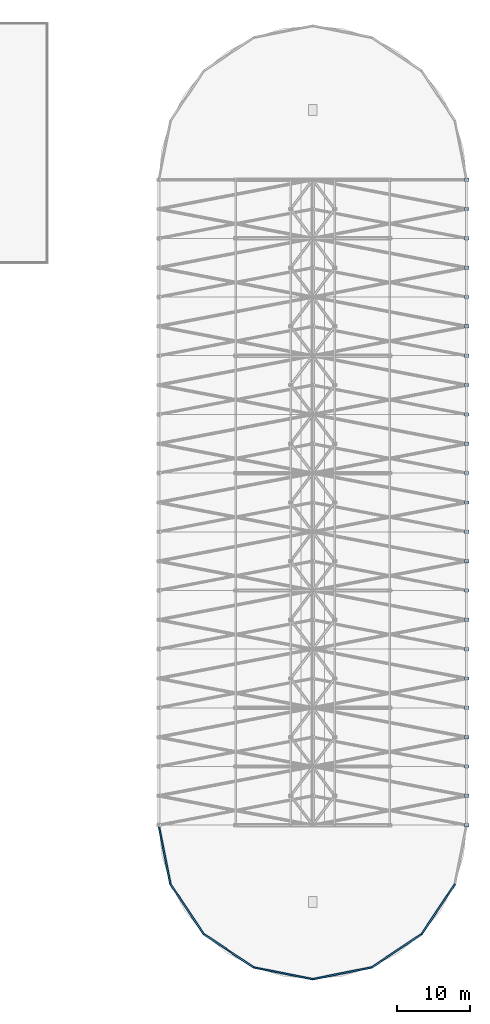
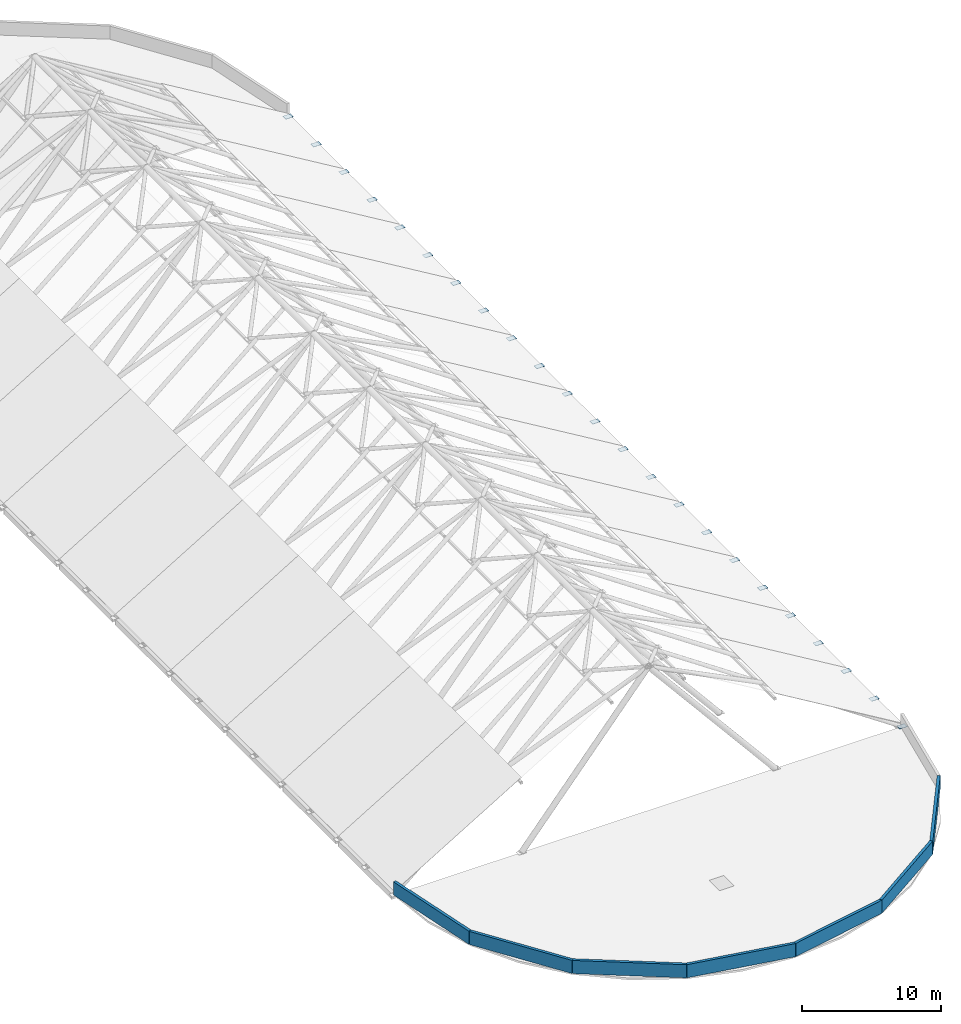
# One storey, part 17 of 44: 23 plates, 7 walls.
"""IFC4 building model written with IfcOpenShell, lengths in metres."""

import ifcopenshell
import ifcopenshell.guid

model = None  # the IFC model being written
_history = None  # IfcOwnerHistory: only IFC2X3 demands one
_inside = {}  # id of a spatial element -> (the spatial element, [elements in it])
_under = {}  # id of a project, library or spatial element -> (it, [spatial elements below it])
_declared = {}  # id of a project -> (the project, [libraries it declares])
_typed = {}  # id of a type object -> (the type object, [elements of that type])
_made_of = {}  # id of a material, layer set ... -> (it, [elements and type objects made of it])


def new_model(schema):
    """Start an empty IFC model of exactly this schema.

    Asked for "IFC4X3", IfcOpenShell would pick the latest addendum, in which some entities
    have other attributes; the version numbers below select the first issue.
    IFC2X3 requires an IfcOwnerHistory on every rooted entity: one is made here for all.
    """
    global model, _history
    if schema == "IFC4X3":
        model = ifcopenshell.file(schema_version=(4, 3, 0, 0))
    else:
        model = ifcopenshell.file(schema=schema)
    _inside.clear()
    _under.clear()
    _declared.clear()
    _typed.clear()
    _made_of.clear()
    _history = None
    if model.schema == "IFC2X3":
        org = make("IfcOrganization", Name="unknown")
        user = make(
            "IfcPersonAndOrganization",
            ThePerson=make("IfcPerson", FamilyName="unknown"),
            TheOrganization=org,
        )
        app = make(
            "IfcApplication",
            ApplicationDeveloper=org,
            Version="unknown",
            ApplicationFullName="unknown",
            ApplicationIdentifier="unknown",
        )
        _history = make(
            "IfcOwnerHistory",
            OwningUser=user,
            OwningApplication=app,
            ChangeAction="ADDED",
            CreationDate=0,
        )
    return model


def make(cls, **values):
    """One entity of the class cls with the attributes given. An attribute that is None is left unset."""
    return model.create_entity(
        cls, **{name: value for name, value in values.items() if value is not None}
    )


def rooted(cls, **values):
    """An entity with a GlobalId (a new one), such as an element, a storey or a relation."""
    return make(cls, GlobalId=ifcopenshell.guid.new(), OwnerHistory=_history, **values)


def si_unit(unit_type, name, prefix=None):
    """IfcSIUnit, for example si_unit("LENGTHUNIT", "METRE", prefix="MILLI")."""
    return make("IfcSIUnit", UnitType=unit_type, Prefix=prefix, Name=name)


def assignment(units):
    """IfcUnitAssignment: the units of a project."""
    return None if units is None else make("IfcUnitAssignment", Units=units)


def point(xyz):
    """IfcCartesianPoint."""
    return None if xyz is None else make("IfcCartesianPoint", Coordinates=xyz)


def direction(xyz):
    """IfcDirection."""
    return None if xyz is None else make("IfcDirection", DirectionRatios=xyz)


def frame(location, z_axis=None, x_axis=None):
    """IfcAxis2Placement3D, a coordinate frame: its origin and axes. An axis left out is left unset."""
    return make(
        "IfcAxis2Placement3D",
        Location=point(location),
        Axis=direction(z_axis),
        RefDirection=direction(x_axis),
    )


def frame_2d(location, x_axis=None):
    """IfcAxis2Placement2D, a coordinate frame in the plane: its origin and x axis."""
    return make(
        "IfcAxis2Placement2D", Location=point(location), RefDirection=direction(x_axis)
    )


def origin():
    """The frame at (0, 0, 0) with its axes left unset."""
    return frame((0.0, 0.0, 0.0))


def origin_2d():
    """The frame at (0, 0) in the plane with its x axis left unset."""
    return frame_2d((0.0, 0.0))


def place(relative_to, where):
    """IfcLocalPlacement: puts the frame where relative to a parent placement (None: the world)."""
    return make(
        "IfcLocalPlacement", PlacementRelTo=relative_to, RelativePlacement=where
    )


def context(
    kind, dimensions, precision=None, world=None, true_north=None, identifier=None
):
    """IfcGeometricRepresentationContext, for example the 3D "Model" context."""
    return make(
        "IfcGeometricRepresentationContext",
        ContextIdentifier=identifier,
        ContextType=kind,
        CoordinateSpaceDimension=dimensions,
        Precision=precision,
        WorldCoordinateSystem=world,
        TrueNorth=true_north,
    )


def subcontext(parent, identifier, kind, view, scale=None):
    """IfcGeometricRepresentationSubContext, for example "Body" below "Model"."""
    return make(
        "IfcGeometricRepresentationSubContext",
        ContextIdentifier=identifier,
        ContextType=kind,
        ParentContext=parent,
        TargetScale=scale,
        TargetView=view,
    )


def project(units=None, contexts=None):
    """IfcProject with its units and contexts."""
    return rooted(
        "IfcProject",
        Name="project",
        RepresentationContexts=contexts,
        UnitsInContext=assignment(units),
    )


def spatial(cls, under=None, at=None, **own):
    """A site, building, storey or space (cls), placed at a placement, below another one or the project."""
    s = rooted(cls, ObjectPlacement=at, **own)
    if under is not None:
        _under.setdefault(under.id(), (under, []))[1].append(s)
    return s


def profile(cls, at=None, kind="AREA", **sizes):
    """A parametric profile (cls). Its sizes go by their IFC names, for example OverallWidth=200.0."""
    return make(cls, ProfileType=kind, Position=at, **sizes)


def rectangle(**sizes):
    """IfcRectangleProfileDef."""
    return profile("IfcRectangleProfileDef", **sizes)


def extrude(swept, where, along, depth):
    """IfcExtrudedAreaSolid: the profile swept, set in the frame where, extruded along a direction by depth."""
    return make(
        "IfcExtrudedAreaSolid",
        SweptArea=swept,
        Position=where,
        ExtrudedDirection=direction(along),
        Depth=depth,
    )


def shape(context_of_items, identifier, shape_type, items):
    """IfcShapeRepresentation: the items that make up one representation, for example the "Body"."""
    return make(
        "IfcShapeRepresentation",
        ContextOfItems=context_of_items,
        RepresentationIdentifier=identifier,
        RepresentationType=shape_type,
        Items=items,
    )


def material(Name=None, Category=None):
    """IfcMaterial."""
    return make("IfcMaterial", Name=Name, Category=Category)


def layer(
    of_material, thickness, ventilated=None, Name=None, Category=None, Priority=None
):
    """IfcMaterialLayer: one layer of a wall or slab, of a material (None: an air gap)."""
    return make(
        "IfcMaterialLayer",
        Material=of_material,
        LayerThickness=thickness,
        IsVentilated=ventilated,
        Name=Name,
        Category=Category,
        Priority=Priority,
    )


def layer_set(layers, Name=None):
    """IfcMaterialLayerSet."""
    return make("IfcMaterialLayerSet", MaterialLayers=layers, LayerSetName=Name)


def made_of(thing, what):
    """Note that an element or type object is made of a material, layer set ...; save() writes the relation."""
    if what is not None:
        _made_of.setdefault(what.id(), (what, []))[1].append(thing)
    return thing


def type_object(cls, material=None, **own):
    """A type object (cls), such as IfcWallType, which elements share."""
    return made_of(rooted(cls, **own), material)


def element(
    cls,
    number,
    at=None,
    inside=None,
    cuts=None,
    type_object=None,
    material=None,
    context=None,
    identifier="Body",
    shape_type=None,
    held_by="IfcProductDefinitionShape",
    body=None,
    shapes=None,
    **own,
):
    """One element of the class cls, such as IfcWall. Its Tag is "e" and its number.

    at: its placement. inside: the storey or other place that contains it. cuts: it is an
    opening in that element (IfcRelVoidsElement). A single representation is given by context,
    identifier, shape_type and body (its items); several are given by shapes. held_by: the class
    of the entity that holds the representations. save() writes the other relations.
    """
    e = rooted(cls, Tag="e%d" % number, ObjectPlacement=at, **own)
    if body is not None:
        shapes = [shape(context, identifier, shape_type, body)]
    if shapes is not None:
        e.Representation = make(held_by, Representations=shapes)
    if inside is not None:
        _inside.setdefault(inside.id(), (inside, []))[1].append(e)
    if cuts is not None:
        rooted(
            "IfcRelVoidsElement", RelatingBuildingElement=cuts, RelatedOpeningElement=e
        )
    if type_object is not None:
        _typed.setdefault(type_object.id(), (type_object, []))[1].append(e)
    return made_of(e, material)


def aggregate(whole, parts):
    """IfcRelAggregates: a whole, such as a stair, and the parts it consists of."""
    return rooted("IfcRelAggregates", RelatingObject=whole, RelatedObjects=parts)


def save(model, path):
    """Write the relations noted so far, then the file.

    IfcRelAggregates (storeys below a building ...), IfcRelContainedInSpatialStructure (elements
    in a storey), IfcRelDefinesByType, IfcRelAssociatesMaterial and IfcRelDeclares: one each for
    every whole, place, type object, material and project.
    """
    for whole, parts in _under.values():
        aggregate(whole, parts)
    for where, things in _inside.values():
        rooted(
            "IfcRelContainedInSpatialStructure",
            RelatedElements=things,
            RelatingStructure=where,
        )
    for kind, things in _typed.values():
        rooted("IfcRelDefinesByType", RelatedObjects=things, RelatingType=kind)
    for what, things in _made_of.values():
        rooted("IfcRelAssociatesMaterial", RelatedObjects=things, RelatingMaterial=what)
    for by, libraries in _declared.values():
        rooted("IfcRelDeclares", RelatingContext=by, RelatedDefinitions=libraries)
    model.write(path)


model = new_model("IFC4")

# Units and contexts
model_context = context("Model", 3, precision=1e-05, world=origin(), true_north=direction((0.0, 1.0)))
body_context = subcontext(model_context, "Body", "Model", "MODEL_VIEW")
ifc_project = project(units=[si_unit("LENGTHUNIT", "METRE"), si_unit("AREAUNIT", "SQUARE_METRE"), si_unit("VOLUMEUNIT", "CUBIC_METRE"), si_unit("PLANEANGLEUNIT", "RADIAN"), si_unit("MASSUNIT", "GRAM", prefix="KILO")], contexts=[model_context])

# Site, building, storey
site_placement = place(None, origin())
site = spatial("IfcSite", under=ifc_project, at=site_placement, CompositionType="ELEMENT")
building_placement = place(site_placement, origin())
building = spatial("IfcBuilding", under=site, at=building_placement, Name="Marlcrest Central Station", CompositionType="ELEMENT")
storey_placement = place(building_placement, frame((0.0, 0.0, 19.5)))
storey = spatial("IfcBuildingStorey", under=building, at=storey_placement, Name="L04", CompositionType="ELEMENT", Elevation=19.5)

# Plates
ifc_material_1 = material(Name="White intumescent Steel S355", Category="steel")
ifc_layer_1 = layer(ifc_material_1, 0.02392578125, Name="GP-04")
ifc_layer_set_1 = layer_set([ifc_layer_1], Name="White intumescent Steel S355")
plate_type = type_object("IfcPlateType", Name="GP-04", PredefinedType="USERDEFINED", material=ifc_layer_set_1)
for number, where, z_axis, x_axis, name in (
    (1, (129.0, 26.5, -0.011962890625), (0.0, 0.0, 1.0), (1.0, 0.0, 0.0), "plt-cap-01245"),
    (2, (129.0, 22.5, -0.011962890625), (0.0, 0.0, 1.0), (1.0, 0.0, 0.0), "plt-cap-01246"),
    (3, (129.0, 34.5, -0.011962890625), (0.0, 0.0, 1.0), (1.0, 0.0, 0.0), "plt-cap-01257"),
    (4, (129.0, 30.5, -0.011962890625), (0.0, 0.0, 1.0), (1.0, 0.0, 0.0), "plt-cap-01258"),
    (5, (129.0, 42.5, -0.011962890625), (0.0, 0.0, 1.0), (1.0, 0.0, 0.0), "plt-cap-01270"),
    (6, (129.0, 38.5, -0.011962890625), (0.0, 0.0, 1.0), (1.0, 0.0, 0.0), "plt-cap-01271"),
    (7, (129.0, 50.5, -0.011962890625), (0.0, 0.0, 1.0), (1.0, 0.0, 0.0), "plt-cap-01282"),
    (8, (129.0, 46.5, -0.011962890625), (0.0, 0.0, 1.0), (1.0, 0.0, 0.0), "plt-cap-01283"),
    (9, (129.0, 58.5, -0.011962890625), (0.0, 0.0, 1.0), (1.0, 0.0, 0.0), "plt-cap-01295"),
    (10, (129.0, 54.5, -0.011962890625), (0.0, 0.0, 1.0), (1.0, 0.0, 0.0), "plt-cap-01296"),
    (11, (129.0, 66.5, -0.011962890625), (0.0, 0.0, 1.0), (1.0, 0.0, 0.0), "plt-cap-01307"),
    (12, (129.0, 62.5, -0.011962890625), (0.0, 0.0, 1.0), (1.0, 0.0, 0.0), "plt-cap-01308"),
    (13, (129.0, 74.5, -0.011962890625), (0.0, 0.0, 1.0), (1.0, 0.0, 0.0), "plt-cap-01320"),
    (14, (129.0, 70.5, -0.011962890625), (0.0, 0.0, 1.0), (1.0, 0.0, 0.0), "plt-cap-01321"),
    (15, (129.0, 82.5, -0.011962890625), (0.0, 0.0, 1.0), (1.0, 0.0, 0.0), "plt-cap-01332"),
    (16, (129.0, 78.5, -0.011962890625), (0.0, 0.0, 1.0), (1.0, 0.0, 0.0), "plt-cap-01333"),
    (17, (129.0, 90.5, -0.011962890625), (0.0, 0.0, 1.0), (1.0, 0.0, 0.0), "plt-cap-01345"),
    (18, (129.0, 86.5, -0.011962890625), (0.0, 0.0, 1.0), (1.0, 0.0, 0.0), "plt-cap-01346"),
    (19, (129.0, 98.5, -0.011962890625), (0.0, 0.0, 1.0), (1.0, 0.0, 0.0), "plt-cap-01357"),
    (20, (129.0, 94.5, -0.011962890625), (0.0, 0.0, 1.0), (1.0, 0.0, 0.0), "plt-cap-01358"),
    (21, (129.0, 106.5, -0.011962890625), (0.0, 0.0, 1.0), (1.0, 0.0, 0.0), "plt-cap-01369"),
    (22, (129.0, 102.5, -0.011962890625), (0.0, 0.0, 1.0), (1.0, 0.0, 0.0), "plt-cap-01370"),
    (23, (129.0, 110.5, -0.011962890625), (0.0, 0.0, 1.0), (1.0, 0.0, 0.0), "plt-cap-01375"),
):
    element("IfcPlate", number, at=place(storey_placement, frame(where, z_axis=z_axis, x_axis=x_axis)), inside=storey, type_object=plate_type, Name=name, ObjectType="GUSSET_PLATE", PredefinedType="USERDEFINED", context=body_context, shape_type="SweptSolid", body=[
        extrude(rectangle(XDim=0.64990234375, YDim=0.449951171875, at=origin_2d()), origin(), (0.0, 0.0, 1.0), 0.02392578125),
    ])

# Walls
ifc_material_2 = material(Name="Precast concrete C40/50", Category="concrete")
ifc_layer_2 = layer(ifc_material_2, 0.22998046875, Name="EP-02")
ifc_layer_set_2 = layer_set([ifc_layer_2], Name="Precast concrete C40/50")
wall_type = type_object("IfcWallType", Name="EP-02", PredefinedType="PARAPET", material=ifc_layer_set_2)
wall_placement = place(storey_placement, frame((87.0, 22.5, 0.0), z_axis=(0.0, 0.0, 1.0), x_axis=(0.19517056122, -0.980769316421, 0.0)))
element("IfcWall", 24, at=wall_placement, inside=storey, type_object=wall_type, Name="ewall-L04-0015", PredefinedType="PARAPET", context=body_context, shape_type="SweptSolid", body=[
    extrude(rectangle(XDim=8.193359375, YDim=0.22998046875, at=frame_2d((4.0966796875, 0.0))), origin(), (0.0, 0.0, 1.0), 1.14990234375),
])
for number, where, z_axis, x_axis, name in (
    (25, (88.59912109375, 14.464111328125, 0.0), (0.0, 0.0, 1.0), (0.55551129271, -0.831508991937, 0.0), "ewall-L04-0016"),
    (26, (93.15087890625, 7.65087890625, 0.0), (0.0, 0.0, 1.0), (0.831508991937, -0.55551129271, 0.0), "ewall-L04-0017"),
):
    element("IfcWall", number, at=place(storey_placement, frame(where, z_axis=z_axis, x_axis=x_axis)), inside=storey, type_object=wall_type, Name=name, PredefinedType="PARAPET", context=body_context, shape_type="SweptSolid", body=[
        extrude(rectangle(XDim=8.19384765625, YDim=0.22998046875, at=frame_2d((4.096923828125, 0.0))), origin(), (0.0, 0.0, 1.0), 1.14990234375),
    ])
for number, where, z_axis, x_axis, name in (
    (27, (99.964111328125, 3.09912109375, 0.0), (0.0, 0.0, 1.0), (0.980769316421, -0.19517056122, 0.0), "ewall-L04-0018"),
    (28, (108.0, 1.5, 0.0), (0.0, 0.0, 1.0), (0.980769316421, 0.19517056122, 0.0), "ewall-L04-0019"),
):
    element("IfcWall", number, at=place(storey_placement, frame(where, z_axis=z_axis, x_axis=x_axis)), inside=storey, type_object=wall_type, Name=name, PredefinedType="PARAPET", context=body_context, shape_type="SweptSolid", body=[
        extrude(rectangle(XDim=8.193359375, YDim=0.22998046875, at=frame_2d((4.0966796875, 0.0))), origin(), (0.0, 0.0, 1.0), 1.14990234375),
    ])
for number, where, z_axis, x_axis, name in (
    (29, (116.035888671875, 3.09912109375, 0.0), (0.0, 0.0, 1.0), (0.831508991937, 0.55551129271, 0.0), "ewall-L04-0020"),
    (30, (122.84912109375, 7.65087890625, 0.0), (0.0, 0.0, 1.0), (0.55551129271, 0.831508991937, 0.0), "ewall-L04-0021"),
):
    element("IfcWall", number, at=place(storey_placement, frame(where, z_axis=z_axis, x_axis=x_axis)), inside=storey, type_object=wall_type, Name=name, PredefinedType="PARAPET", context=body_context, shape_type="SweptSolid", body=[
        extrude(rectangle(XDim=8.19384765625, YDim=0.22998046875, at=frame_2d((4.096923828125, 0.0))), origin(), (0.0, 0.0, 1.0), 1.14990234375),
    ])

save(model, "model.ifc")
